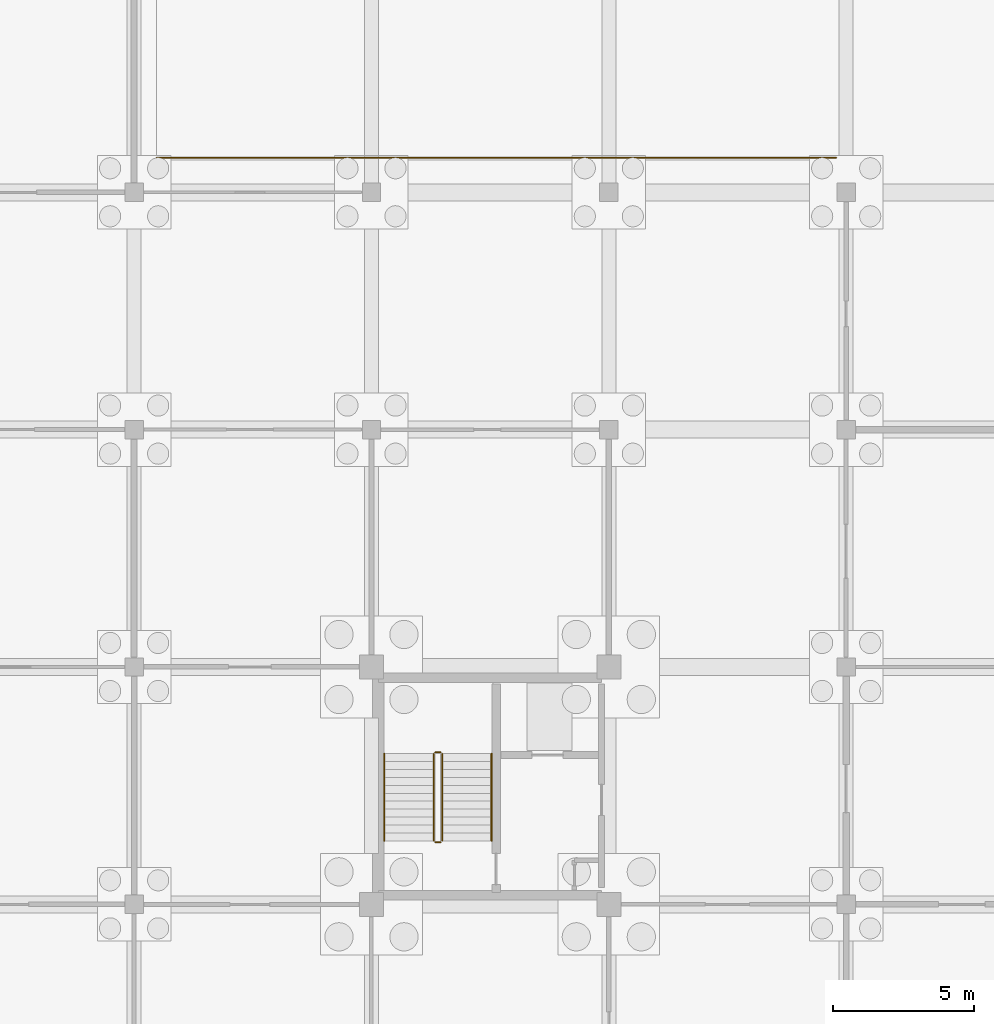
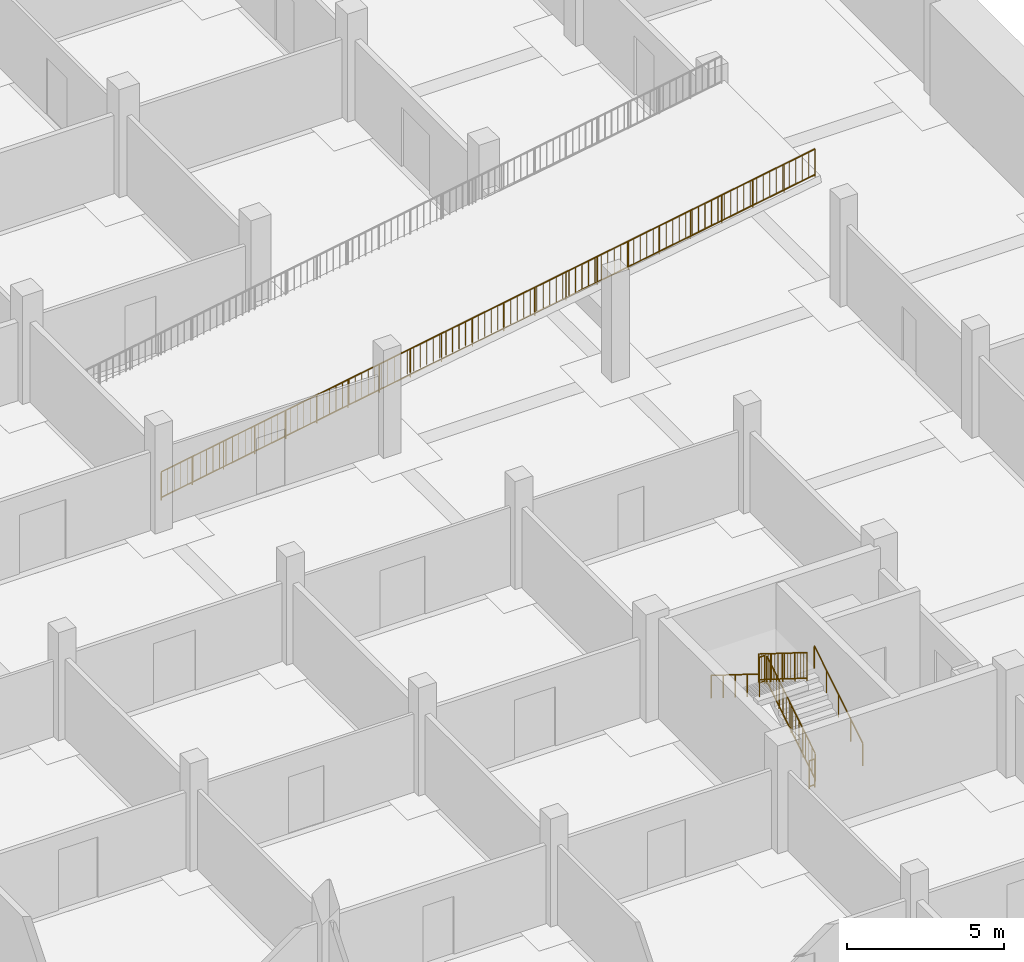
# One storey, part 41 of 43: 7 railings.
"""IFC4 building model written with IfcOpenShell, lengths in metres."""

from ifc_helpers import new_model, si_unit, direction, frame, origin, origin_2d, place, context, subcontext, project, spatial, circle, extrude, material, type_object, element, save


model = new_model("IFC4")

# Units and contexts
model_context = context("Model", 3, precision=1e-05, world=origin(), true_north=direction((0.0, 1.0)))
body_context = subcontext(model_context, "Body", "Model", "MODEL_VIEW")
ifc_project = project(units=[si_unit("LENGTHUNIT", "METRE"), si_unit("AREAUNIT", "SQUARE_METRE"), si_unit("VOLUMEUNIT", "CUBIC_METRE"), si_unit("PLANEANGLEUNIT", "RADIAN"), si_unit("MASSUNIT", "GRAM", prefix="KILO")], contexts=[model_context])

# Site, building, storey
site_placement = place(None, origin())
site = spatial("IfcSite", under=ifc_project, at=site_placement, CompositionType="ELEMENT")
building_placement = place(site_placement, origin())
building = spatial("IfcBuilding", under=site, at=building_placement, Name="Varnapada Polytechnic", CompositionType="ELEMENT")
storey_placement = place(building_placement, frame((0.0, 0.0, -4.199951171875)))
storey = spatial("IfcBuildingStorey", under=building, at=storey_placement, Name="B1", CompositionType="ELEMENT", Elevation=-4.199951171875)

# Railings
ifc_material_1 = material(Name="Brushed Stainless Steel 316", Category="steel")
railing_type_1 = type_object("IfcRailingType", Name="Stair Wall Handrail SHR-01", PredefinedType="HANDRAIL", material=ifc_material_1)
railing_1_placement = place(storey_placement, frame((155.449951171875, 27.449951171875, 0.175048828125)))
element("IfcRailing", 1, at=railing_1_placement, inside=storey, type_object=railing_type_1, Name="B1 ST-6 stair handrail 1", PredefinedType="HANDRAIL", context=body_context, shape_type="SweptSolid", body=[
    extrude(circle(Radius=0.02392578125, at=origin_2d()), frame((0.0, 0.0, 0.8759765625), z_axis=(0.0, 0.848028513186, 0.529950602248), x_axis=(-1.0, 0.0, 0.0)), (0.0, 0.0, 1.0), 3.632080078125),
    extrude(circle(Radius=0.02099609375, at=origin_2d()), origin(), (0.0, 0.0, 1.0), 0.851806640625),
    extrude(circle(Radius=0.02099609375, at=origin_2d()), frame((0.0, 0.77001953125, 0.481201171875)), (0.0, 0.0, 1.0), 0.851806640625),
    extrude(circle(Radius=0.02099609375, at=origin_2d()), frame((0.0, 1.5400390625, 0.96240234375)), (0.0, 0.0, 1.0), 0.851806640625),
    extrude(circle(Radius=0.02099609375, at=origin_2d()), frame((0.0, 2.31005859375, 1.443603515625)), (0.0, 0.0, 1.0), 0.851806640625),
    extrude(circle(Radius=0.02099609375, at=origin_2d()), frame((0.0, 3.080078125, 1.9248046875)), (0.0, 0.0, 1.0), 0.851806640625),
])
railing_2_placement = place(storey_placement, frame((151.64990234375, 30.530029296875, 2.27490234375)))
element("IfcRailing", 2, at=railing_2_placement, inside=storey, type_object=railing_type_1, Name="B1 ST-6 stair handrail 2", PredefinedType="HANDRAIL", context=body_context, shape_type="SweptSolid", body=[
    extrude(circle(Radius=0.02392578125, at=origin_2d()), frame((0.0, 0.0, 0.8759765625), z_axis=(0.0, -0.847998304005, 0.529998940003), x_axis=(1.0, 0.0, 0.0)), (0.0, 0.0, 1.0), 3.632080078125),
    extrude(circle(Radius=0.02099609375, at=origin_2d()), origin(), (0.0, 0.0, 1.0), 0.851806640625),
    extrude(circle(Radius=0.02099609375, at=origin_2d()), frame((0.0, -0.77001953125, 0.481201171875)), (0.0, 0.0, 1.0), 0.851806640625),
    extrude(circle(Radius=0.02099609375, at=origin_2d()), frame((0.0, -1.5400390625, 0.96240234375)), (0.0, 0.0, 1.0), 0.851806640625),
    extrude(circle(Radius=0.02099609375, at=origin_2d()), frame((0.0, -2.31005859375, 1.44384765625)), (0.0, 0.0, 1.0), 0.851806640625),
    extrude(circle(Radius=0.02099609375, at=origin_2d()), frame((0.0, -3.080078125, 1.925048828125)), (0.0, 0.0, 1.0), 0.851806640625),
])
railing_type_2 = type_object("IfcRailingType", Name="Stair Well Guard Rail SGR-01", PredefinedType="BALUSTRADE", material=ifc_material_1)
railing_3_placement = place(storey_placement, frame((153.699951171875, 27.449951171875, 0.175048828125)))
element("IfcRailing", 3, at=railing_3_placement, inside=storey, type_object=railing_type_2, Name="B1 ST-6 stair guard 1", PredefinedType="BALUSTRADE", context=body_context, shape_type="SweptSolid", body=[
    extrude(circle(Radius=0.02392578125, at=origin_2d()), frame((0.0, 0.0, 1.09619140625), z_axis=(0.0, 0.848028513186, 0.529950602248), x_axis=(-1.0, 0.0, 0.0)), (0.0, 0.0, 1.0), 3.632080078125),
    extrude(circle(Radius=0.02392578125, at=origin_2d()), frame((0.0, 0.0, 0.10009765625), z_axis=(0.0, 0.848028513186, 0.529950602248), x_axis=(-1.0, 0.0, 0.0)), (0.0, 0.0, 1.0), 3.632080078125),
    extrude(circle(Radius=0.02099609375, at=origin_2d()), origin(), (0.0, 0.0, 1.0), 1.072021484375),
    extrude(circle(Radius=0.02099609375, at=origin_2d()), frame((0.0, 0.77001953125, 0.481201171875)), (0.0, 0.0, 1.0), 1.072021484375),
    extrude(circle(Radius=0.02099609375, at=origin_2d()), frame((0.0, 1.5400390625, 0.96240234375)), (0.0, 0.0, 1.0), 1.072021484375),
    extrude(circle(Radius=0.02099609375, at=origin_2d()), frame((0.0, 2.31005859375, 1.443603515625)), (0.0, 0.0, 1.0), 1.072021484375),
    extrude(circle(Radius=0.02099609375, at=origin_2d()), frame((0.0, 3.080078125, 1.9248046875)), (0.0, 0.0, 1.0), 1.072021484375),
    extrude(circle(Radius=0.010009765625, at=origin_2d()), frame((0.0, 0.205322265625, 0.228515625)), (0.0, 0.0, 1.0), 0.971923828125),
    extrude(circle(Radius=0.010009765625, at=origin_2d()), frame((0.0, 0.41064453125, 0.356689453125)), (0.0, 0.0, 1.0), 0.971923828125),
    extrude(circle(Radius=0.010009765625, at=origin_2d()), frame((0.0, 0.615966796875, 0.485107421875)), (0.0, 0.0, 1.0), 0.971923828125),
    extrude(circle(Radius=0.010009765625, at=origin_2d()), frame((0.0, 0.8212890625, 0.61328125)), (0.0, 0.0, 1.0), 0.971923828125),
    extrude(circle(Radius=0.010009765625, at=origin_2d()), frame((0.0, 1.026611328125, 0.74169921875)), (0.0, 0.0, 1.0), 0.971923828125),
    extrude(circle(Radius=0.010009765625, at=origin_2d()), frame((0.0, 1.23193359375, 0.8701171875)), (0.0, 0.0, 1.0), 0.971923828125),
    extrude(circle(Radius=0.010009765625, at=origin_2d()), frame((0.0, 1.437255859375, 0.998291015625)), (0.0, 0.0, 1.0), 0.971923828125),
    extrude(circle(Radius=0.010009765625, at=origin_2d()), frame((0.0, 1.642822265625, 1.126708984375)), (0.0, 0.0, 1.0), 0.971923828125),
    extrude(circle(Radius=0.010009765625, at=origin_2d()), frame((0.0, 1.84814453125, 1.2548828125)), (0.0, 0.0, 1.0), 0.971923828125),
    extrude(circle(Radius=0.010009765625, at=origin_2d()), frame((0.0, 2.053466796875, 1.38330078125)), (0.0, 0.0, 1.0), 0.971923828125),
    extrude(circle(Radius=0.010009765625, at=origin_2d()), frame((0.0, 2.2587890625, 1.51171875)), (0.0, 0.0, 1.0), 0.971923828125),
    extrude(circle(Radius=0.010009765625, at=origin_2d()), frame((0.0, 2.464111328125, 1.639892578125)), (0.0, 0.0, 1.0), 0.971923828125),
    extrude(circle(Radius=0.010009765625, at=origin_2d()), frame((0.0, 2.66943359375, 1.768310546875)), (0.0, 0.0, 1.0), 0.971923828125),
    extrude(circle(Radius=0.010009765625, at=origin_2d()), frame((0.0, 2.874755859375, 1.896484375)), (0.0, 0.0, 1.0), 0.971923828125),
])
railing_4_placement = place(storey_placement, frame((153.64990234375, 30.580078125, 2.099853515625)))
element("IfcRailing", 4, at=railing_4_placement, inside=storey, type_object=railing_type_2, Name="B1 ST-6 stair guard 2", PredefinedType="BALUSTRADE", context=body_context, shape_type="SweptSolid", body=[
    extrude(circle(Radius=0.02392578125, at=origin_2d()), frame((0.0, 0.0, 1.09619140625), z_axis=(-1.0, 0.0, 0.0), x_axis=(0.0, -1.0, 0.0)), (0.0, 0.0, 1.0), 0.199951171875),
    extrude(circle(Radius=0.02392578125, at=origin_2d()), frame((0.0, 0.0, 0.10009765625), z_axis=(-1.0, 0.0, 0.0), x_axis=(0.0, -1.0, 0.0)), (0.0, 0.0, 1.0), 0.199951171875),
    extrude(circle(Radius=0.02099609375, at=origin_2d()), origin(), (0.0, 0.0, 1.0), 1.072021484375),
    extrude(circle(Radius=0.02099609375, at=origin_2d()), frame((-0.199951171875, 0.0, 0.0)), (0.0, 0.0, 1.0), 1.072021484375),
])
railing_5_placement = place(storey_placement, frame((153.39990234375, 30.530029296875, 2.27490234375)))
element("IfcRailing", 5, at=railing_5_placement, inside=storey, type_object=railing_type_2, Name="B1 ST-6 stair guard 3", PredefinedType="BALUSTRADE", context=body_context, shape_type="SweptSolid", body=[
    extrude(circle(Radius=0.02392578125, at=origin_2d()), frame((0.0, 0.0, 1.09619140625), z_axis=(0.0, -0.847998304005, 0.529998940003), x_axis=(1.0, 0.0, 0.0)), (0.0, 0.0, 1.0), 3.632080078125),
    extrude(circle(Radius=0.02392578125, at=origin_2d()), frame((0.0, 0.0, 0.10009765625), z_axis=(0.0, -0.847998304005, 0.529998940003), x_axis=(1.0, 0.0, 0.0)), (0.0, 0.0, 1.0), 3.632080078125),
    extrude(circle(Radius=0.02099609375, at=origin_2d()), origin(), (0.0, 0.0, 1.0), 1.072021484375),
    extrude(circle(Radius=0.02099609375, at=origin_2d()), frame((0.0, -0.77001953125, 0.481201171875)), (0.0, 0.0, 1.0), 1.072021484375),
    extrude(circle(Radius=0.02099609375, at=origin_2d()), frame((0.0, -1.5400390625, 0.96240234375)), (0.0, 0.0, 1.0), 1.072021484375),
    extrude(circle(Radius=0.02099609375, at=origin_2d()), frame((0.0, -2.31005859375, 1.44384765625)), (0.0, 0.0, 1.0), 1.072021484375),
    extrude(circle(Radius=0.02099609375, at=origin_2d()), frame((0.0, -3.080078125, 1.925048828125)), (0.0, 0.0, 1.0), 1.072021484375),
    extrude(circle(Radius=0.010009765625, at=origin_2d()), frame((0.0, -0.205322265625, 0.228515625)), (0.0, 0.0, 1.0), 0.971923828125),
    extrude(circle(Radius=0.010009765625, at=origin_2d()), frame((0.0, -0.41064453125, 0.356689453125)), (0.0, 0.0, 1.0), 0.971923828125),
    extrude(circle(Radius=0.010009765625, at=origin_2d()), frame((0.0, -0.615966796875, 0.485107421875)), (0.0, 0.0, 1.0), 0.971923828125),
    extrude(circle(Radius=0.010009765625, at=origin_2d()), frame((0.0, -0.8212890625, 0.613525390625)), (0.0, 0.0, 1.0), 0.971923828125),
    extrude(circle(Radius=0.010009765625, at=origin_2d()), frame((0.0, -1.026611328125, 0.74169921875)), (0.0, 0.0, 1.0), 0.971923828125),
    extrude(circle(Radius=0.010009765625, at=origin_2d()), frame((0.0, -1.23193359375, 0.8701171875)), (0.0, 0.0, 1.0), 0.971923828125),
    extrude(circle(Radius=0.010009765625, at=origin_2d()), frame((0.0, -1.437255859375, 0.99853515625)), (0.0, 0.0, 1.0), 0.971923828125),
    extrude(circle(Radius=0.010009765625, at=origin_2d()), frame((0.0, -1.642822265625, 1.126708984375)), (0.0, 0.0, 1.0), 0.971923828125),
    extrude(circle(Radius=0.010009765625, at=origin_2d()), frame((0.0, -1.84814453125, 1.255126953125)), (0.0, 0.0, 1.0), 0.971923828125),
    extrude(circle(Radius=0.010009765625, at=origin_2d()), frame((0.0, -2.053466796875, 1.383544921875)), (0.0, 0.0, 1.0), 0.971923828125),
    extrude(circle(Radius=0.010009765625, at=origin_2d()), frame((0.0, -2.2587890625, 1.51171875)), (0.0, 0.0, 1.0), 0.971923828125),
    extrude(circle(Radius=0.010009765625, at=origin_2d()), frame((0.0, -2.464111328125, 1.64013671875)), (0.0, 0.0, 1.0), 0.971923828125),
    extrude(circle(Radius=0.010009765625, at=origin_2d()), frame((0.0, -2.66943359375, 1.7685546875)), (0.0, 0.0, 1.0), 0.971923828125),
    extrude(circle(Radius=0.010009765625, at=origin_2d()), frame((0.0, -2.874755859375, 1.896728515625)), (0.0, 0.0, 1.0), 0.971923828125),
])
railing_6_placement = place(storey_placement, frame((153.64990234375, 27.39990234375, 0.0)))
element("IfcRailing", 6, at=railing_6_placement, inside=storey, type_object=railing_type_2, Name="B1 ST-6 stair guard 4", PredefinedType="BALUSTRADE", context=body_context, shape_type="SweptSolid", body=[
    extrude(circle(Radius=0.02392578125, at=origin_2d()), frame((0.0, 0.0, 1.09619140625), z_axis=(-1.0, 0.0, 0.0), x_axis=(0.0, -1.0, 0.0)), (0.0, 0.0, 1.0), 0.199951171875),
    extrude(circle(Radius=0.02392578125, at=origin_2d()), frame((0.0, 0.0, 0.10009765625), z_axis=(-1.0, 0.0, 0.0), x_axis=(0.0, -1.0, 0.0)), (0.0, 0.0, 1.0), 0.199951171875),
    extrude(circle(Radius=0.02099609375, at=origin_2d()), origin(), (0.0, 0.0, 1.0), 1.072021484375),
    extrude(circle(Radius=0.02099609375, at=origin_2d()), frame((-0.199951171875, 0.0, 0.0)), (0.0, 0.0, 1.0), 1.072021484375),
])
ifc_material_2 = material(Name="Painted galvanized steel", Category="steel")
railing_type_3 = type_object("IfcRailingType", Name="Terrace Guard Rail GRD-01", PredefinedType="BALUSTRADE", material=ifc_material_2)
railing_7_placement = place(storey_placement, frame((143.60009765625, 51.6201171875, 0.0)))
element("IfcRailing", 7, at=railing_7_placement, inside=storey, type_object=railing_type_3, Name="Basement vehicle ramp side guard S", PredefinedType="BALUSTRADE", context=body_context, shape_type="SweptSolid", body=[
    extrude(circle(Radius=0.02392578125, at=origin_2d()), frame((0.0, 0.0, 1.09619140625), z_axis=(0.985505538901, 0.0, 0.169643251545), x_axis=(0.0, 1.0, 0.0)), (0.0, 0.0, 1.0), 24.403564453125),
    extrude(circle(Radius=0.02392578125, at=origin_2d()), frame((0.0, 0.0, 0.10009765625), z_axis=(0.985505538901, 0.0, 0.169643251545), x_axis=(0.0, 1.0, 0.0)), (0.0, 0.0, 1.0), 24.403564453125),
    extrude(circle(Radius=0.02099609375, at=origin_2d()), origin(), (0.0, 0.0, 1.0), 1.072021484375),
    extrude(circle(Radius=0.02099609375, at=origin_2d()), frame((1.145263671875, 0.0, 0.197021484375)), (0.0, 0.0, 1.0), 1.072021484375),
    extrude(circle(Radius=0.02099609375, at=origin_2d()), frame((2.29052734375, 0.0, 0.394287109375)), (0.0, 0.0, 1.0), 1.072021484375),
    extrude(circle(Radius=0.02099609375, at=origin_2d()), frame((3.435791015625, 0.0, 0.59130859375)), (0.0, 0.0, 1.0), 1.072021484375),
    extrude(circle(Radius=0.02099609375, at=origin_2d()), frame((4.580810546875, 0.0, 0.78857421875)), (0.0, 0.0, 1.0), 1.072021484375),
    extrude(circle(Radius=0.02099609375, at=origin_2d()), frame((5.72607421875, 0.0, 0.985595703125)), (0.0, 0.0, 1.0), 1.072021484375),
    extrude(circle(Radius=0.02099609375, at=origin_2d()), frame((6.871337890625, 0.0, 1.182861328125)), (0.0, 0.0, 1.0), 1.072021484375),
    extrude(circle(Radius=0.02099609375, at=origin_2d()), frame((8.0166015625, 0.0, 1.3798828125)), (0.0, 0.0, 1.0), 1.072021484375),
    extrude(circle(Radius=0.02099609375, at=origin_2d()), frame((9.161865234375, 0.0, 1.5771484375)), (0.0, 0.0, 1.0), 1.072021484375),
    extrude(circle(Radius=0.02099609375, at=origin_2d()), frame((10.30712890625, 0.0, 1.774169921875)), (0.0, 0.0, 1.0), 1.072021484375),
    extrude(circle(Radius=0.02099609375, at=origin_2d()), frame((11.452392578125, 0.0, 1.971435546875)), (0.0, 0.0, 1.0), 1.072021484375),
    extrude(circle(Radius=0.02099609375, at=origin_2d()), frame((12.597412109375, 0.0, 2.16845703125)), (0.0, 0.0, 1.0), 1.072021484375),
    extrude(circle(Radius=0.02099609375, at=origin_2d()), frame((13.74267578125, 0.0, 2.36572265625)), (0.0, 0.0, 1.0), 1.072021484375),
    extrude(circle(Radius=0.02099609375, at=origin_2d()), frame((14.887939453125, 0.0, 2.562744140625)), (0.0, 0.0, 1.0), 1.072021484375),
    extrude(circle(Radius=0.02099609375, at=origin_2d()), frame((16.033203125, 0.0, 2.760009765625)), (0.0, 0.0, 1.0), 1.072021484375),
    extrude(circle(Radius=0.02099609375, at=origin_2d()), frame((17.178466796875, 0.0, 2.95703125)), (0.0, 0.0, 1.0), 1.072021484375),
    extrude(circle(Radius=0.02099609375, at=origin_2d()), frame((18.32373046875, 0.0, 3.154296875)), (0.0, 0.0, 1.0), 1.072021484375),
    extrude(circle(Radius=0.02099609375, at=origin_2d()), frame((19.468994140625, 0.0, 3.351318359375)), (0.0, 0.0, 1.0), 1.072021484375),
    extrude(circle(Radius=0.02099609375, at=origin_2d()), frame((20.614013671875, 0.0, 3.548583984375)), (0.0, 0.0, 1.0), 1.072021484375),
    extrude(circle(Radius=0.02099609375, at=origin_2d()), frame((21.75927734375, 0.0, 3.74560546875)), (0.0, 0.0, 1.0), 1.072021484375),
    extrude(circle(Radius=0.02099609375, at=origin_2d()), frame((22.904541015625, 0.0, 3.94287109375)), (0.0, 0.0, 1.0), 1.072021484375),
    extrude(circle(Radius=0.02099609375, at=origin_2d()), frame((24.0498046875, 0.0, 4.139892578125)), (0.0, 0.0, 1.0), 1.072021484375),
    extrude(circle(Radius=0.010009765625, at=origin_2d()), frame((0.238037109375, 0.0, 0.14111328125)), (0.0, 0.0, 1.0), 0.971923828125),
    extrude(circle(Radius=0.010009765625, at=origin_2d()), frame((0.476318359375, 0.0, 0.18212890625)), (0.0, 0.0, 1.0), 0.971923828125),
    extrude(circle(Radius=0.010009765625, at=origin_2d()), frame((0.71435546875, 0.0, 0.22314453125)), (0.0, 0.0, 1.0), 0.971923828125),
    extrude(circle(Radius=0.010009765625, at=origin_2d()), frame((0.952392578125, 0.0, 0.26416015625)), (0.0, 0.0, 1.0), 0.971923828125),
    extrude(circle(Radius=0.010009765625, at=origin_2d()), frame((1.190673828125, 0.0, 0.304931640625)), (0.0, 0.0, 1.0), 0.971923828125),
    extrude(circle(Radius=0.010009765625, at=origin_2d()), frame((1.4287109375, 0.0, 0.345947265625)), (0.0, 0.0, 1.0), 0.971923828125),
    extrude(circle(Radius=0.010009765625, at=origin_2d()), frame((1.666748046875, 0.0, 0.386962890625)), (0.0, 0.0, 1.0), 0.971923828125),
    extrude(circle(Radius=0.010009765625, at=origin_2d()), frame((1.905029296875, 0.0, 0.427978515625)), (0.0, 0.0, 1.0), 0.971923828125),
    extrude(circle(Radius=0.010009765625, at=origin_2d()), frame((2.14306640625, 0.0, 0.468994140625)), (0.0, 0.0, 1.0), 0.971923828125),
    extrude(circle(Radius=0.010009765625, at=origin_2d()), frame((2.381103515625, 0.0, 0.510009765625)), (0.0, 0.0, 1.0), 0.971923828125),
    extrude(circle(Radius=0.010009765625, at=origin_2d()), frame((2.619384765625, 0.0, 0.551025390625)), (0.0, 0.0, 1.0), 0.971923828125),
    extrude(circle(Radius=0.010009765625, at=origin_2d()), frame((2.857421875, 0.0, 0.592041015625)), (0.0, 0.0, 1.0), 0.971923828125),
    extrude(circle(Radius=0.010009765625, at=origin_2d()), frame((3.095458984375, 0.0, 0.633056640625)), (0.0, 0.0, 1.0), 0.971923828125),
    extrude(circle(Radius=0.010009765625, at=origin_2d()), frame((3.333740234375, 0.0, 0.673828125)), (0.0, 0.0, 1.0), 0.971923828125),
    extrude(circle(Radius=0.010009765625, at=origin_2d()), frame((3.57177734375, 0.0, 0.71484375)), (0.0, 0.0, 1.0), 0.971923828125),
    extrude(circle(Radius=0.010009765625, at=origin_2d()), frame((3.809814453125, 0.0, 0.755859375)), (0.0, 0.0, 1.0), 0.971923828125),
    extrude(circle(Radius=0.010009765625, at=origin_2d()), frame((4.048095703125, 0.0, 0.796875)), (0.0, 0.0, 1.0), 0.971923828125),
    extrude(circle(Radius=0.010009765625, at=origin_2d()), frame((4.2861328125, 0.0, 0.837890625)), (0.0, 0.0, 1.0), 0.971923828125),
    extrude(circle(Radius=0.010009765625, at=origin_2d()), frame((4.524169921875, 0.0, 0.87890625)), (0.0, 0.0, 1.0), 0.971923828125),
    extrude(circle(Radius=0.010009765625, at=origin_2d()), frame((4.762451171875, 0.0, 0.919921875)), (0.0, 0.0, 1.0), 0.971923828125),
    extrude(circle(Radius=0.010009765625, at=origin_2d()), frame((5.00048828125, 0.0, 0.9609375)), (0.0, 0.0, 1.0), 0.971923828125),
    extrude(circle(Radius=0.010009765625, at=origin_2d()), frame((5.238525390625, 0.0, 1.001953125)), (0.0, 0.0, 1.0), 0.971923828125),
    extrude(circle(Radius=0.010009765625, at=origin_2d()), frame((5.476806640625, 0.0, 1.042724609375)), (0.0, 0.0, 1.0), 0.971923828125),
    extrude(circle(Radius=0.010009765625, at=origin_2d()), frame((5.71484375, 0.0, 1.083740234375)), (0.0, 0.0, 1.0), 0.971923828125),
    extrude(circle(Radius=0.010009765625, at=origin_2d()), frame((5.952880859375, 0.0, 1.124755859375)), (0.0, 0.0, 1.0), 0.971923828125),
    extrude(circle(Radius=0.010009765625, at=origin_2d()), frame((6.19091796875, 0.0, 1.165771484375)), (0.0, 0.0, 1.0), 0.971923828125),
    extrude(circle(Radius=0.010009765625, at=origin_2d()), frame((6.42919921875, 0.0, 1.206787109375)), (0.0, 0.0, 1.0), 0.971923828125),
    extrude(circle(Radius=0.010009765625, at=origin_2d()), frame((6.667236328125, 0.0, 1.247802734375)), (0.0, 0.0, 1.0), 0.971923828125),
    extrude(circle(Radius=0.010009765625, at=origin_2d()), frame((6.9052734375, 0.0, 1.288818359375)), (0.0, 0.0, 1.0), 0.971923828125),
    extrude(circle(Radius=0.010009765625, at=origin_2d()), frame((7.1435546875, 0.0, 1.329833984375)), (0.0, 0.0, 1.0), 0.971923828125),
    extrude(circle(Radius=0.010009765625, at=origin_2d()), frame((7.381591796875, 0.0, 1.370849609375)), (0.0, 0.0, 1.0), 0.971923828125),
    extrude(circle(Radius=0.010009765625, at=origin_2d()), frame((7.61962890625, 0.0, 1.411865234375)), (0.0, 0.0, 1.0), 0.971923828125),
    extrude(circle(Radius=0.010009765625, at=origin_2d()), frame((7.85791015625, 0.0, 1.45263671875)), (0.0, 0.0, 1.0), 0.971923828125),
    extrude(circle(Radius=0.010009765625, at=origin_2d()), frame((8.095947265625, 0.0, 1.49365234375)), (0.0, 0.0, 1.0), 0.971923828125),
    extrude(circle(Radius=0.010009765625, at=origin_2d()), frame((8.333984375, 0.0, 1.53466796875)), (0.0, 0.0, 1.0), 0.971923828125),
    extrude(circle(Radius=0.010009765625, at=origin_2d()), frame((8.572265625, 0.0, 1.57568359375)), (0.0, 0.0, 1.0), 0.971923828125),
    extrude(circle(Radius=0.010009765625, at=origin_2d()), frame((8.810302734375, 0.0, 1.61669921875)), (0.0, 0.0, 1.0), 0.971923828125),
    extrude(circle(Radius=0.010009765625, at=origin_2d()), frame((9.04833984375, 0.0, 1.65771484375)), (0.0, 0.0, 1.0), 0.971923828125),
    extrude(circle(Radius=0.010009765625, at=origin_2d()), frame((9.28662109375, 0.0, 1.69873046875)), (0.0, 0.0, 1.0), 0.971923828125),
    extrude(circle(Radius=0.010009765625, at=origin_2d()), frame((9.524658203125, 0.0, 1.73974609375)), (0.0, 0.0, 1.0), 0.971923828125),
    extrude(circle(Radius=0.010009765625, at=origin_2d()), frame((9.7626953125, 0.0, 1.78076171875)), (0.0, 0.0, 1.0), 0.971923828125),
    extrude(circle(Radius=0.010009765625, at=origin_2d()), frame((10.0009765625, 0.0, 1.821533203125)), (0.0, 0.0, 1.0), 0.971923828125),
    extrude(circle(Radius=0.010009765625, at=origin_2d()), frame((10.239013671875, 0.0, 1.862548828125)), (0.0, 0.0, 1.0), 0.971923828125),
    extrude(circle(Radius=0.010009765625, at=origin_2d()), frame((10.47705078125, 0.0, 1.903564453125)), (0.0, 0.0, 1.0), 0.971923828125),
    extrude(circle(Radius=0.010009765625, at=origin_2d()), frame((10.71533203125, 0.0, 1.944580078125)), (0.0, 0.0, 1.0), 0.971923828125),
    extrude(circle(Radius=0.010009765625, at=origin_2d()), frame((10.953369140625, 0.0, 1.985595703125)), (0.0, 0.0, 1.0), 0.971923828125),
    extrude(circle(Radius=0.010009765625, at=origin_2d()), frame((11.19140625, 0.0, 2.026611328125)), (0.0, 0.0, 1.0), 0.971923828125),
    extrude(circle(Radius=0.010009765625, at=origin_2d()), frame((11.4296875, 0.0, 2.067626953125)), (0.0, 0.0, 1.0), 0.971923828125),
    extrude(circle(Radius=0.010009765625, at=origin_2d()), frame((11.667724609375, 0.0, 2.108642578125)), (0.0, 0.0, 1.0), 0.971923828125),
    extrude(circle(Radius=0.010009765625, at=origin_2d()), frame((11.90576171875, 0.0, 2.149658203125)), (0.0, 0.0, 1.0), 0.971923828125),
    extrude(circle(Radius=0.010009765625, at=origin_2d()), frame((12.14404296875, 0.0, 2.1904296875)), (0.0, 0.0, 1.0), 0.971923828125),
    extrude(circle(Radius=0.010009765625, at=origin_2d()), frame((12.382080078125, 0.0, 2.2314453125)), (0.0, 0.0, 1.0), 0.971923828125),
    extrude(circle(Radius=0.010009765625, at=origin_2d()), frame((12.6201171875, 0.0, 2.2724609375)), (0.0, 0.0, 1.0), 0.971923828125),
    extrude(circle(Radius=0.010009765625, at=origin_2d()), frame((12.8583984375, 0.0, 2.3134765625)), (0.0, 0.0, 1.0), 0.971923828125),
    extrude(circle(Radius=0.010009765625, at=origin_2d()), frame((13.096435546875, 0.0, 2.3544921875)), (0.0, 0.0, 1.0), 0.971923828125),
    extrude(circle(Radius=0.010009765625, at=origin_2d()), frame((13.33447265625, 0.0, 2.3955078125)), (0.0, 0.0, 1.0), 0.971923828125),
    extrude(circle(Radius=0.010009765625, at=origin_2d()), frame((13.57275390625, 0.0, 2.4365234375)), (0.0, 0.0, 1.0), 0.971923828125),
    extrude(circle(Radius=0.010009765625, at=origin_2d()), frame((13.810791015625, 0.0, 2.4775390625)), (0.0, 0.0, 1.0), 0.971923828125),
    extrude(circle(Radius=0.010009765625, at=origin_2d()), frame((14.048828125, 0.0, 2.5185546875)), (0.0, 0.0, 1.0), 0.971923828125),
    extrude(circle(Radius=0.010009765625, at=origin_2d()), frame((14.287109375, 0.0, 2.559326171875)), (0.0, 0.0, 1.0), 0.971923828125),
    extrude(circle(Radius=0.010009765625, at=origin_2d()), frame((14.525146484375, 0.0, 2.600341796875)), (0.0, 0.0, 1.0), 0.971923828125),
    extrude(circle(Radius=0.010009765625, at=origin_2d()), frame((14.76318359375, 0.0, 2.641357421875)), (0.0, 0.0, 1.0), 0.971923828125),
    extrude(circle(Radius=0.010009765625, at=origin_2d()), frame((15.00146484375, 0.0, 2.682373046875)), (0.0, 0.0, 1.0), 0.971923828125),
    extrude(circle(Radius=0.010009765625, at=origin_2d()), frame((15.239501953125, 0.0, 2.723388671875)), (0.0, 0.0, 1.0), 0.971923828125),
    extrude(circle(Radius=0.010009765625, at=origin_2d()), frame((15.4775390625, 0.0, 2.764404296875)), (0.0, 0.0, 1.0), 0.971923828125),
    extrude(circle(Radius=0.010009765625, at=origin_2d()), frame((15.7158203125, 0.0, 2.805419921875)), (0.0, 0.0, 1.0), 0.971923828125),
    extrude(circle(Radius=0.010009765625, at=origin_2d()), frame((15.953857421875, 0.0, 2.846435546875)), (0.0, 0.0, 1.0), 0.971923828125),
    extrude(circle(Radius=0.010009765625, at=origin_2d()), frame((16.19189453125, 0.0, 2.887451171875)), (0.0, 0.0, 1.0), 0.971923828125),
    extrude(circle(Radius=0.010009765625, at=origin_2d()), frame((16.43017578125, 0.0, 2.92822265625)), (0.0, 0.0, 1.0), 0.971923828125),
    extrude(circle(Radius=0.010009765625, at=origin_2d()), frame((16.668212890625, 0.0, 2.96923828125)), (0.0, 0.0, 1.0), 0.971923828125),
    extrude(circle(Radius=0.010009765625, at=origin_2d()), frame((16.90625, 0.0, 3.01025390625)), (0.0, 0.0, 1.0), 0.971923828125),
    extrude(circle(Radius=0.010009765625, at=origin_2d()), frame((17.14453125, 0.0, 3.05126953125)), (0.0, 0.0, 1.0), 0.971923828125),
    extrude(circle(Radius=0.010009765625, at=origin_2d()), frame((17.382568359375, 0.0, 3.09228515625)), (0.0, 0.0, 1.0), 0.971923828125),
    extrude(circle(Radius=0.010009765625, at=origin_2d()), frame((17.62060546875, 0.0, 3.13330078125)), (0.0, 0.0, 1.0), 0.971923828125),
    extrude(circle(Radius=0.010009765625, at=origin_2d()), frame((17.85888671875, 0.0, 3.17431640625)), (0.0, 0.0, 1.0), 0.971923828125),
    extrude(circle(Radius=0.010009765625, at=origin_2d()), frame((18.096923828125, 0.0, 3.21533203125)), (0.0, 0.0, 1.0), 0.971923828125),
    extrude(circle(Radius=0.010009765625, at=origin_2d()), frame((18.3349609375, 0.0, 3.25634765625)), (0.0, 0.0, 1.0), 0.971923828125),
    extrude(circle(Radius=0.010009765625, at=origin_2d()), frame((18.572998046875, 0.0, 3.29736328125)), (0.0, 0.0, 1.0), 0.971923828125),
    extrude(circle(Radius=0.010009765625, at=origin_2d()), frame((18.811279296875, 0.0, 3.338134765625)), (0.0, 0.0, 1.0), 0.971923828125),
    extrude(circle(Radius=0.010009765625, at=origin_2d()), frame((19.04931640625, 0.0, 3.379150390625)), (0.0, 0.0, 1.0), 0.971923828125),
    extrude(circle(Radius=0.010009765625, at=origin_2d()), frame((19.287353515625, 0.0, 3.420166015625)), (0.0, 0.0, 1.0), 0.971923828125),
    extrude(circle(Radius=0.010009765625, at=origin_2d()), frame((19.525634765625, 0.0, 3.461181640625)), (0.0, 0.0, 1.0), 0.971923828125),
    extrude(circle(Radius=0.010009765625, at=origin_2d()), frame((19.763671875, 0.0, 3.502197265625)), (0.0, 0.0, 1.0), 0.971923828125),
    extrude(circle(Radius=0.010009765625, at=origin_2d()), frame((20.001708984375, 0.0, 3.543212890625)), (0.0, 0.0, 1.0), 0.971923828125),
    extrude(circle(Radius=0.010009765625, at=origin_2d()), frame((20.239990234375, 0.0, 3.584228515625)), (0.0, 0.0, 1.0), 0.971923828125),
    extrude(circle(Radius=0.010009765625, at=origin_2d()), frame((20.47802734375, 0.0, 3.625244140625)), (0.0, 0.0, 1.0), 0.971923828125),
    extrude(circle(Radius=0.010009765625, at=origin_2d()), frame((20.716064453125, 0.0, 3.666259765625)), (0.0, 0.0, 1.0), 0.971923828125),
    extrude(circle(Radius=0.010009765625, at=origin_2d()), frame((20.954345703125, 0.0, 3.70703125)), (0.0, 0.0, 1.0), 0.971923828125),
    extrude(circle(Radius=0.010009765625, at=origin_2d()), frame((21.1923828125, 0.0, 3.748046875)), (0.0, 0.0, 1.0), 0.971923828125),
    extrude(circle(Radius=0.010009765625, at=origin_2d()), frame((21.430419921875, 0.0, 3.7890625)), (0.0, 0.0, 1.0), 0.971923828125),
    extrude(circle(Radius=0.010009765625, at=origin_2d()), frame((21.668701171875, 0.0, 3.830078125)), (0.0, 0.0, 1.0), 0.971923828125),
    extrude(circle(Radius=0.010009765625, at=origin_2d()), frame((21.90673828125, 0.0, 3.87109375)), (0.0, 0.0, 1.0), 0.971923828125),
    extrude(circle(Radius=0.010009765625, at=origin_2d()), frame((22.144775390625, 0.0, 3.912109375)), (0.0, 0.0, 1.0), 0.971923828125),
    extrude(circle(Radius=0.010009765625, at=origin_2d()), frame((22.383056640625, 0.0, 3.953125)), (0.0, 0.0, 1.0), 0.971923828125),
    extrude(circle(Radius=0.010009765625, at=origin_2d()), frame((22.62109375, 0.0, 3.994140625)), (0.0, 0.0, 1.0), 0.971923828125),
    extrude(circle(Radius=0.010009765625, at=origin_2d()), frame((22.859130859375, 0.0, 4.03515625)), (0.0, 0.0, 1.0), 0.971923828125),
    extrude(circle(Radius=0.010009765625, at=origin_2d()), frame((23.097412109375, 0.0, 4.075927734375)), (0.0, 0.0, 1.0), 0.971923828125),
    extrude(circle(Radius=0.010009765625, at=origin_2d()), frame((23.33544921875, 0.0, 4.116943359375)), (0.0, 0.0, 1.0), 0.971923828125),
    extrude(circle(Radius=0.010009765625, at=origin_2d()), frame((23.573486328125, 0.0, 4.157958984375)), (0.0, 0.0, 1.0), 0.971923828125),
    extrude(circle(Radius=0.010009765625, at=origin_2d()), frame((23.811767578125, 0.0, 4.198974609375)), (0.0, 0.0, 1.0), 0.971923828125),
])

save(model, "model.ifc")
